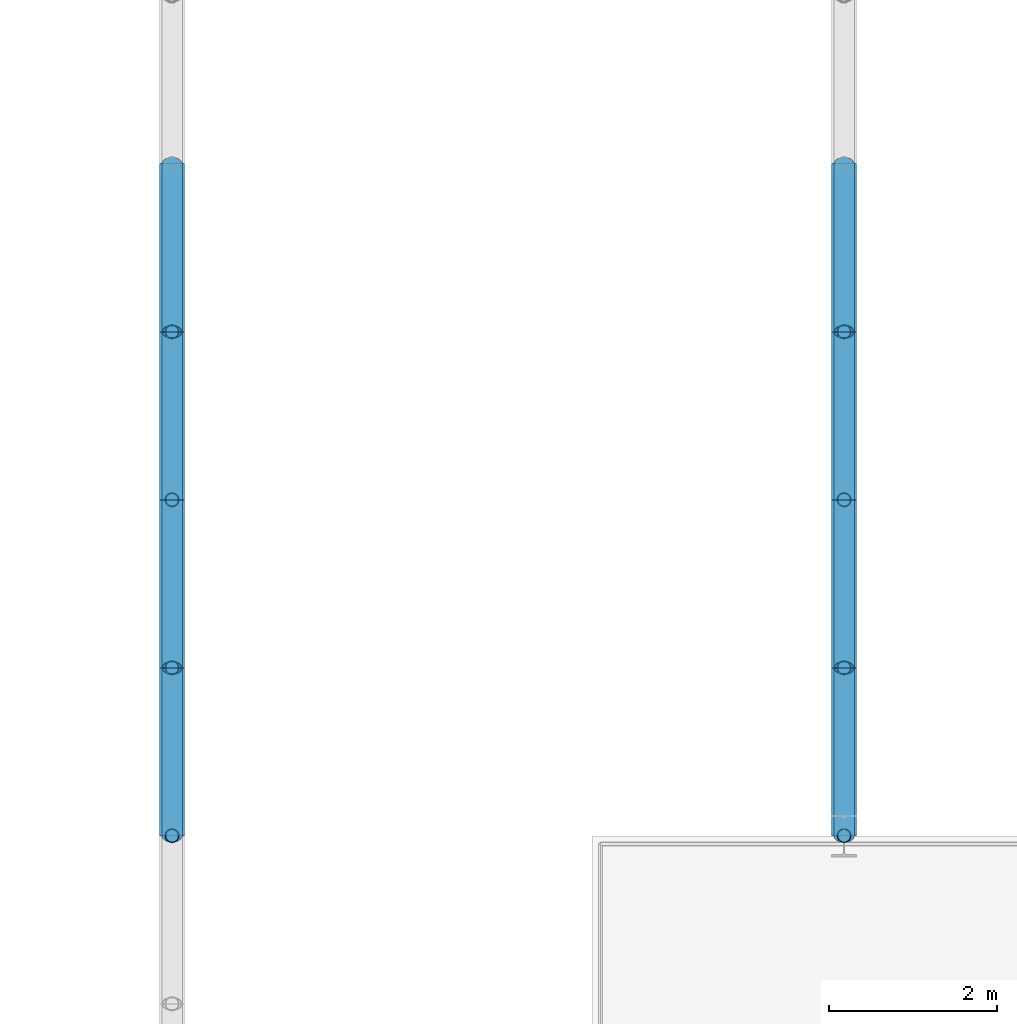
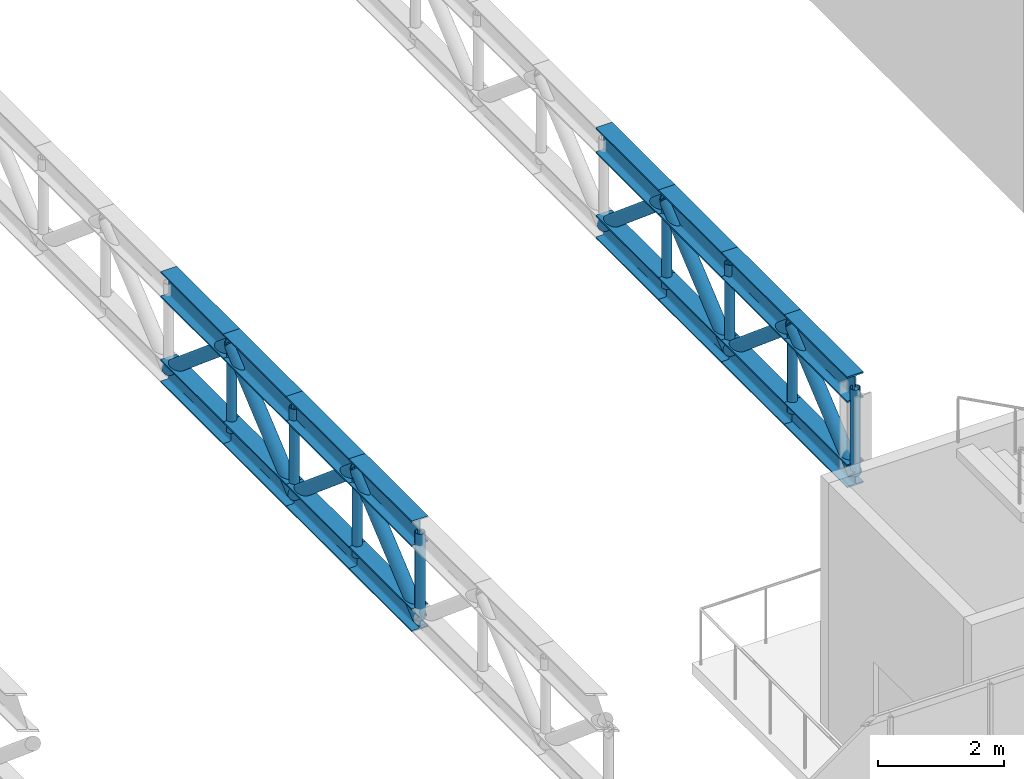
# One storey, part 83 of 143: 32 members.
"""IFC4 building model written with IfcOpenShell, lengths in metres."""

from ifc_helpers import new_model, si_unit, derived_unit, direction, frame, origin, origin_2d, place, context, subcontext, project, spatial, hollow_circle, i_section, extrude, material, material_profile, profile_set, type_object, element, save


model = new_model("IFC4")

# Units and contexts
model_context = context("Model", 3, precision=1e-05, world=origin(), true_north=direction((0.0, 1.0)))
body_context = subcontext(model_context, "Body", "Model", "MODEL_VIEW")
ifc_project = project(units=[si_unit("LENGTHUNIT", "METRE"), si_unit("AREAUNIT", "SQUARE_METRE"), si_unit("VOLUMEUNIT", "CUBIC_METRE"), si_unit("PLANEANGLEUNIT", "RADIAN"), si_unit("MASSUNIT", "GRAM", prefix="KILO"), derived_unit("THERMALTRANSMITTANCEUNIT", [(si_unit("POWERUNIT", "WATT"), 1), (si_unit("LENGTHUNIT", "METRE"), -2), (si_unit("THERMODYNAMICTEMPERATUREUNIT", "KELVIN"), -1)])], contexts=[model_context])

# Site, building, storey
site_placement = place(None, origin())
site = spatial("IfcSite", under=ifc_project, at=site_placement, CompositionType="ELEMENT")
building_placement = place(site_placement, origin())
building = spatial("IfcBuilding", under=site, at=building_placement, Name="Keldorne Ridge Multi-Sports Centre", CompositionType="ELEMENT")
storey_placement = place(building_placement, frame((0.0, 0.0, 4.800048828125)))
storey = spatial("IfcBuildingStorey", under=building, at=storey_placement, Name="L01", CompositionType="ELEMENT", Elevation=4.800048828125)

# Members
ifc_material = material(Name="Steel S355", Category="steel")
ifc_material_profile_1 = material_profile(ifc_material, i_section(OverallWidth=0.300048828125, OverallDepth=0.5, WebThickness=0.014404296875, FlangeThickness=0.028076171875, FilletRadius=0.027099609375, at=origin_2d()), Name="HEB 500")
ifc_profile_set_1 = profile_set([ifc_material_profile_1], Name="Steel S355")
member_type_1 = type_object("IfcMemberType", Name="MEM-TC-03", PredefinedType="CHORD", material=ifc_profile_set_1)
for number, where, z_axis, x_axis, name in (
    (1, (152.0, 14.0, 4.31005859375), (0.0, 1.0, 0.0), (-1.0, 0.0, 0.0), "Stacked Courts Warren TRUSS WT-L02-07 top chord 5"),
    (2, (152.0, 16.0, 4.31005859375), (0.0, 1.0, 0.0), (-1.0, 0.0, 0.0), "Stacked Courts Warren TRUSS WT-L02-07 top chord 6"),
    (3, (152.0, 18.0, 4.31005859375), (0.0, 1.0, 0.0), (-1.0, 0.0, 0.0), "Stacked Courts Warren TRUSS WT-L02-07 top chord 7"),
    (4, (152.0, 20.0, 4.31005859375), (0.0, 1.0, 0.0), (-1.0, 0.0, 0.0), "Stacked Courts Warren TRUSS WT-L02-07 top chord 8"),
    (5, (160.0, 14.0, 4.31005859375), (0.0, 1.0, 0.0), (-1.0, 0.0, 0.0), "Stacked Courts Warren TRUSS WT-L02-08 top chord 5"),
    (6, (160.0, 16.0, 4.31005859375), (0.0, 1.0, 0.0), (-1.0, 0.0, 0.0), "Stacked Courts Warren TRUSS WT-L02-08 top chord 6"),
    (7, (160.0, 18.0, 4.31005859375), (0.0, 1.0, 0.0), (-1.0, 0.0, 0.0), "Stacked Courts Warren TRUSS WT-L02-08 top chord 7"),
    (8, (160.0, 20.0, 4.31005859375), (0.0, 1.0, 0.0), (-1.0, 0.0, 0.0), "Stacked Courts Warren TRUSS WT-L02-08 top chord 8"),
):
    element("IfcMember", number, at=place(storey_placement, frame(where, z_axis=z_axis, x_axis=x_axis)), inside=storey, type_object=member_type_1, Name=name, PredefinedType="CHORD", context=body_context, shape_type="SweptSolid", body=[
        extrude(i_section(OverallWidth=0.300048828125, OverallDepth=0.5, WebThickness=0.014404296875, FlangeThickness=0.028076171875, FilletRadius=0.027099609375, at=origin_2d()), origin(), (0.0, 0.0, 1.0), 2.0),
    ])
ifc_material_profile_2 = material_profile(ifc_material, i_section(OverallWidth=0.300048828125, OverallDepth=0.449951171875, WebThickness=0.013916015625, FlangeThickness=0.02587890625, FilletRadius=0.027099609375, at=origin_2d()), Name="HEB 450")
ifc_profile_set_2 = profile_set([ifc_material_profile_2], Name="Steel S355")
member_type_2 = type_object("IfcMemberType", Name="MEM-TC-04", PredefinedType="CHORD", material=ifc_profile_set_2)
for number, where, z_axis, x_axis, name in (
    (9, (152.0, 14.0, 2.6298828125), (0.0, 1.0, 0.0), (-1.0, 0.0, 0.0), "Stacked Courts Warren TRUSS WT-L02-07 bottom chord 5"),
    (10, (152.0, 16.0, 2.6298828125), (0.0, 1.0, 0.0), (-1.0, 0.0, 0.0), "Stacked Courts Warren TRUSS WT-L02-07 bottom chord 6"),
    (11, (152.0, 18.0, 2.6298828125), (0.0, 1.0, 0.0), (-1.0, 0.0, 0.0), "Stacked Courts Warren TRUSS WT-L02-07 bottom chord 7"),
    (12, (152.0, 20.0, 2.6298828125), (0.0, 1.0, 0.0), (-1.0, 0.0, 0.0), "Stacked Courts Warren TRUSS WT-L02-07 bottom chord 8"),
    (13, (160.0, 14.0, 2.6298828125), (0.0, 1.0, 0.0), (-1.0, 0.0, 0.0), "Stacked Courts Warren TRUSS WT-L02-08 bottom chord 5"),
    (14, (160.0, 16.0, 2.6298828125), (0.0, 1.0, 0.0), (-1.0, 0.0, 0.0), "Stacked Courts Warren TRUSS WT-L02-08 bottom chord 6"),
    (15, (160.0, 18.0, 2.6298828125), (0.0, 1.0, 0.0), (-1.0, 0.0, 0.0), "Stacked Courts Warren TRUSS WT-L02-08 bottom chord 7"),
    (16, (160.0, 20.0, 2.6298828125), (0.0, 1.0, 0.0), (-1.0, 0.0, 0.0), "Stacked Courts Warren TRUSS WT-L02-08 bottom chord 8"),
):
    element("IfcMember", number, at=place(storey_placement, frame(where, z_axis=z_axis, x_axis=x_axis)), inside=storey, type_object=member_type_2, Name=name, PredefinedType="CHORD", context=body_context, shape_type="SweptSolid", body=[
        extrude(i_section(OverallWidth=0.300048828125, OverallDepth=0.449951171875, WebThickness=0.013916015625, FlangeThickness=0.02587890625, FilletRadius=0.027099609375, at=origin_2d()), origin(), (0.0, 0.0, 1.0), 2.0),
    ])
ifc_material_profile_3 = material_profile(ifc_material, hollow_circle(Radius=0.122314453125, WallThickness=0.012451171875, at=origin_2d()), Name="CHS 244.5x12.5")
ifc_profile_set_3 = profile_set([ifc_material_profile_3], Name="Steel S355")
member_type_3 = type_object("IfcMemberType", Name="MEM-TD-02", PredefinedType="BRACE", material=ifc_profile_set_3)
for number, where, z_axis, x_axis, name in (
    (17, (152.0, 14.0, 2.6298828125), (0.0, 0.765671721121, 0.643231541108), (-1.0, 0.0, 0.0), "Stacked Courts Warren TRUSS WT-L02-07 diagonal 5"),
    (18, (152.0, 16.0, 4.31005859375), (0.0, 0.765671721121, -0.643231541108), (-1.0, 0.0, 0.0), "Stacked Courts Warren TRUSS WT-L02-07 diagonal 6"),
    (19, (152.0, 18.0, 2.6298828125), (0.0, 0.765671721121, 0.643231541108), (-1.0, 0.0, 0.0), "Stacked Courts Warren TRUSS WT-L02-07 diagonal 7"),
    (20, (152.0, 20.0, 4.31005859375), (0.0, 0.765671721121, -0.643231541108), (-1.0, 0.0, 0.0), "Stacked Courts Warren TRUSS WT-L02-07 diagonal 8"),
    (21, (160.0, 14.0, 2.6298828125), (0.0, 0.765671721121, 0.643231541108), (-1.0, 0.0, 0.0), "Stacked Courts Warren TRUSS WT-L02-08 diagonal 5"),
    (22, (160.0, 16.0, 4.31005859375), (0.0, 0.765671721121, -0.643231541108), (-1.0, 0.0, 0.0), "Stacked Courts Warren TRUSS WT-L02-08 diagonal 6"),
    (23, (160.0, 18.0, 2.6298828125), (0.0, 0.765671721121, 0.643231541108), (-1.0, 0.0, 0.0), "Stacked Courts Warren TRUSS WT-L02-08 diagonal 7"),
    (24, (160.0, 20.0, 4.31005859375), (0.0, 0.765671721121, -0.643231541108), (-1.0, 0.0, 0.0), "Stacked Courts Warren TRUSS WT-L02-08 diagonal 8"),
):
    element("IfcMember", number, at=place(storey_placement, frame(where, z_axis=z_axis, x_axis=x_axis)), inside=storey, type_object=member_type_3, Name=name, PredefinedType="BRACE", context=body_context, shape_type="SweptSolid", body=[
        extrude(hollow_circle(Radius=0.122314453125, WallThickness=0.012451171875, at=origin_2d()), origin(), (0.0, 0.0, 1.0), 2.612060546875),
    ])
ifc_material_profile_4 = material_profile(ifc_material, hollow_circle(Radius=0.084228515625, WallThickness=0.010009765625, at=origin_2d()), Name="CHS 168.3x10")
ifc_profile_set_4 = profile_set([ifc_material_profile_4], Name="Steel S355")
member_type_4 = type_object("IfcMemberType", Name="MEM-TV-01", PredefinedType="STRUT", material=ifc_profile_set_4)
for number, where, z_axis, x_axis, name in (
    (25, (152.0, 14.0, 2.6298828125), (0.0, 0.0, 1.0), (1.0, 0.0, 0.0), "Stacked Courts Warren TRUSS WT-L02-07 post 5"),
    (26, (152.0, 16.0, 2.6298828125), (0.0, 0.0, 1.0), (1.0, 0.0, 0.0), "Stacked Courts Warren TRUSS WT-L02-07 post 6"),
    (27, (152.0, 18.0, 2.6298828125), (0.0, 0.0, 1.0), (1.0, 0.0, 0.0), "Stacked Courts Warren TRUSS WT-L02-07 post 7"),
    (28, (152.0, 20.0, 2.6298828125), (0.0, 0.0, 1.0), (1.0, 0.0, 0.0), "Stacked Courts Warren TRUSS WT-L02-07 post 8"),
    (29, (160.0, 14.0, 2.6298828125), (0.0, 0.0, 1.0), (1.0, 0.0, 0.0), "Stacked Courts Warren TRUSS WT-L02-08 post 5"),
    (30, (160.0, 16.0, 2.6298828125), (0.0, 0.0, 1.0), (1.0, 0.0, 0.0), "Stacked Courts Warren TRUSS WT-L02-08 post 6"),
    (31, (160.0, 18.0, 2.6298828125), (0.0, 0.0, 1.0), (1.0, 0.0, 0.0), "Stacked Courts Warren TRUSS WT-L02-08 post 7"),
    (32, (160.0, 20.0, 2.6298828125), (0.0, 0.0, 1.0), (1.0, 0.0, 0.0), "Stacked Courts Warren TRUSS WT-L02-08 post 8"),
):
    element("IfcMember", number, at=place(storey_placement, frame(where, z_axis=z_axis, x_axis=x_axis)), inside=storey, type_object=member_type_4, Name=name, PredefinedType="STRUT", context=body_context, shape_type="SweptSolid", body=[
        extrude(hollow_circle(Radius=0.084228515625, WallThickness=0.010009765625, at=origin_2d()), origin(), (0.0, 0.0, 1.0), 1.68017578125),
    ])

save(model, "model.ifc")
